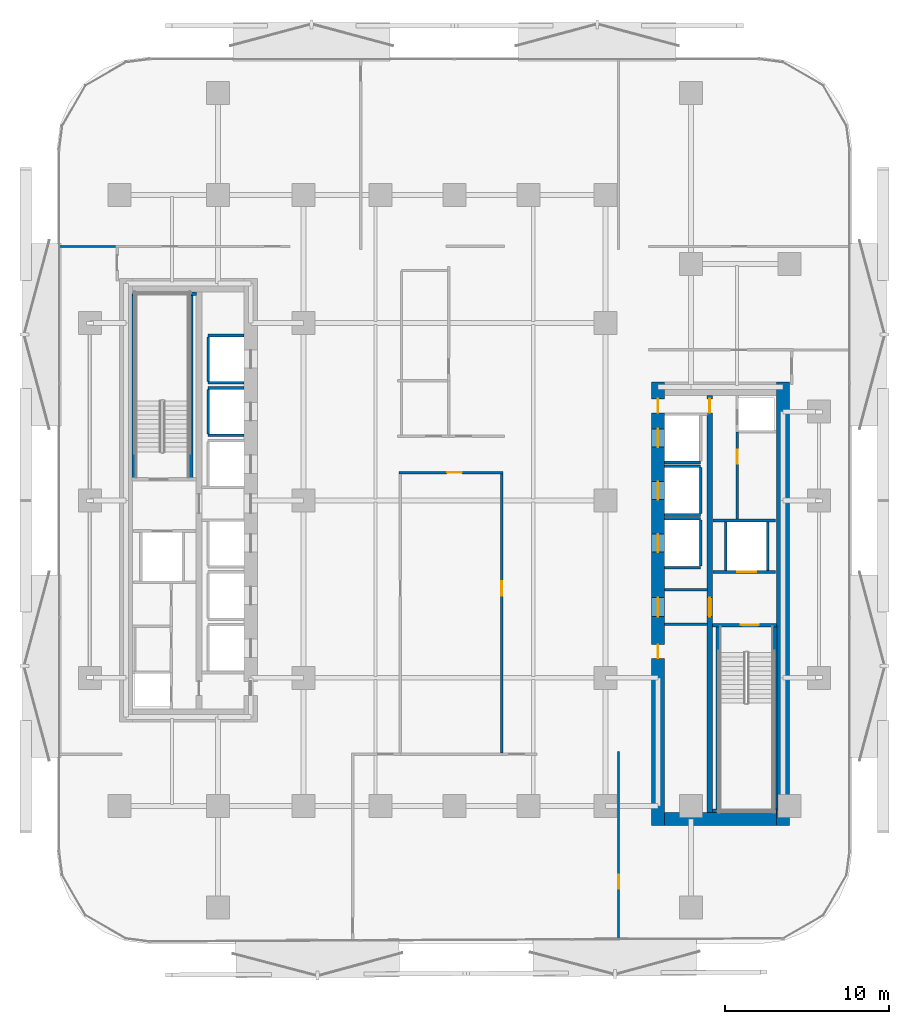
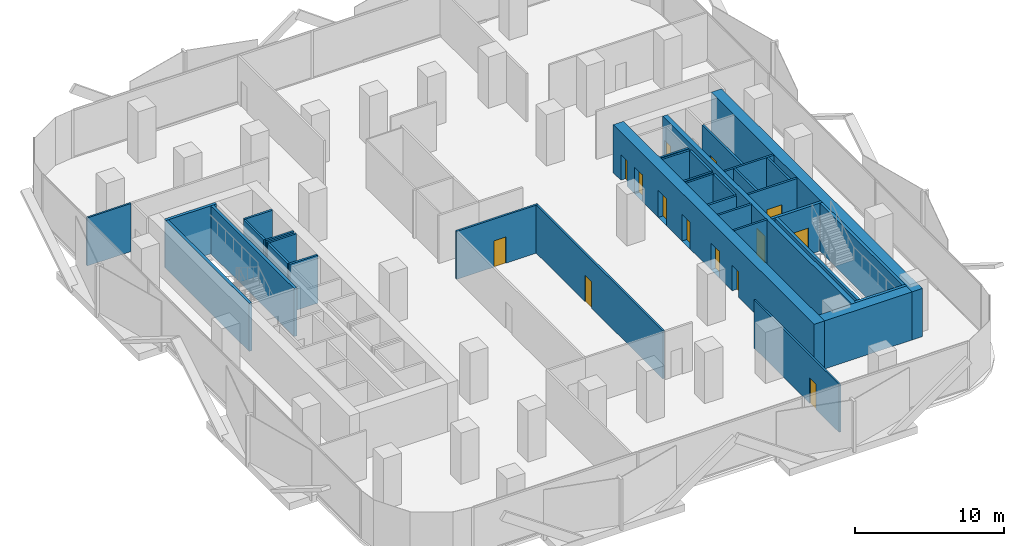
# One storey, part 4 of 15: 35 walls, 14 doors, 14 openings.
"""IFC4 building model written with IfcOpenShell, lengths in metres."""

from ifc_helpers import new_model, si_unit, direction, frame, frame_2d, origin, place, context, subcontext, project, spatial, rectangle, extrude, material, layer, layer_set, type_object, element, fill, save


model = new_model("IFC4")

# Units and contexts
model_context = context("Model", 3, precision=1e-05, world=origin(), true_north=direction((0.0, 1.0)))
body_context = subcontext(model_context, "Body", "Model", "MODEL_VIEW")
ifc_project = project(units=[si_unit("LENGTHUNIT", "METRE"), si_unit("AREAUNIT", "SQUARE_METRE"), si_unit("VOLUMEUNIT", "CUBIC_METRE"), si_unit("PLANEANGLEUNIT", "RADIAN"), si_unit("MASSUNIT", "GRAM", prefix="KILO")], contexts=[model_context])

# Site, building, storey
site_placement = place(None, origin())
site = spatial("IfcSite", under=ifc_project, at=site_placement, CompositionType="ELEMENT")
building_placement = place(site_placement, origin())
building = spatial("IfcBuilding", under=site, at=building_placement, Name="Khairoan Windgate Tower", CompositionType="ELEMENT")
storey_placement = place(building_placement, frame((0.0, 0.0, 47.0)))
storey = spatial("IfcBuildingStorey", under=building, at=storey_placement, Name="L11", CompositionType="ELEMENT", Elevation=47.0)

# Walls
ifc_material_1 = material(Name="Concrete C40/50", Category="concrete")
ifc_layer_1 = layer(ifc_material_1, 0.159912109375, Name="Concrete C40/50")
ifc_layer_set_1 = layer_set([ifc_layer_1], Name="Concrete C40/50")
wall_type_1 = type_object("IfcWallType", Name="Core and Hoistway Enclosure Wall", PredefinedType="STANDARD", material=ifc_layer_set_1)
for number, where, z_axis, x_axis, name in (
    (1, (-14.989990234375, 7.159912109375, 0.0), (0.0, 0.0, 1.0), (1.0, 0.0, 0.0), "L11 Lift PL1 Hoistway Divider S"),
    (2, (-14.989990234375, 10.0400390625, 0.0), (0.0, 0.0, 1.0), (1.0, 0.0, 0.0), "L11 Lift PL1 Hoistway Divider N"),
):
    element("IfcWall", number, at=place(storey_placement, frame(where, z_axis=z_axis, x_axis=x_axis)), inside=storey, type_object=wall_type_1, Name=name, PredefinedType="STANDARD", context=body_context, shape_type="SweptSolid", body=[
        extrude(rectangle(XDim=2.18994140625, YDim=0.159912109375, at=frame_2d((1.094970703125, 0.0))), origin(), (0.0, 0.0, 1.0), 3.93994140625),
    ])
wall_1_placement = place(storey_placement, frame((-14.989990234375, 7.25, 0.0), z_axis=(0.0, 0.0, 1.0), x_axis=(0.0, 1.0, 0.0)))
element("IfcWall", 3, at=wall_1_placement, inside=storey, type_object=wall_type_1, Name="L11 Lift PL1 Hoistway Back Wall", PredefinedType="STANDARD", context=body_context, shape_type="SweptSolid", body=[
    extrude(rectangle(XDim=2.699951171875, YDim=0.159912109375, at=frame_2d((1.35009765625, 0.0))), origin(), (0.0, 0.0, 1.0), 3.93994140625),
])
for number, where, z_axis, x_axis, name in (
    (4, (-14.989990234375, 3.9599609375, 0.0), (0.0, 0.0, 1.0), (1.0, 0.0, 0.0), "L11 Lift PL2 Hoistway Divider S"),
    (5, (-14.989990234375, 6.840087890625, 0.0), (0.0, 0.0, 1.0), (1.0, 0.0, 0.0), "L11 Lift PL2 Hoistway Divider N"),
):
    element("IfcWall", number, at=place(storey_placement, frame(where, z_axis=z_axis, x_axis=x_axis)), inside=storey, type_object=wall_type_1, Name=name, PredefinedType="STANDARD", context=body_context, shape_type="SweptSolid", body=[
        extrude(rectangle(XDim=2.18994140625, YDim=0.159912109375, at=frame_2d((1.094970703125, 0.0))), origin(), (0.0, 0.0, 1.0), 3.93994140625),
    ])
wall_2_placement = place(storey_placement, frame((-14.989990234375, 4.050048828125, 0.0), z_axis=(0.0, 0.0, 1.0), x_axis=(0.0, 1.0, 0.0)))
element("IfcWall", 6, at=wall_2_placement, inside=storey, type_object=wall_type_1, Name="L11 Lift PL2 Hoistway Back Wall", PredefinedType="STANDARD", context=body_context, shape_type="SweptSolid", body=[
    extrude(rectangle(XDim=2.699951171875, YDim=0.159912109375, at=frame_2d((1.35009765625, 0.0))), origin(), (0.0, 0.0, 1.0), 3.93994140625),
])
for number, where, z_axis, x_axis, name in (
    (7, (12.800048828125, 2.31005859375, 0.0), (0.0, 0.0, 1.0), (1.0, 0.0, 0.0), "L11 Lift PL7 Hoistway Divider S"),
    (8, (12.800048828125, -0.889892578125, 0.0), (0.0, 0.0, 1.0), (1.0, 0.0, 0.0), "L11 Lift PL8 Hoistway Divider S"),
    (9, (12.800048828125, 2.090087890625, 0.0), (0.0, 0.0, 1.0), (1.0, 0.0, 0.0), "L11 Lift PL8 Hoistway Divider N"),
):
    element("IfcWall", number, at=place(storey_placement, frame(where, z_axis=z_axis, x_axis=x_axis)), inside=storey, type_object=wall_type_1, Name=name, PredefinedType="STANDARD", context=body_context, shape_type="SweptSolid", body=[
        extrude(rectangle(XDim=2.18994140625, YDim=0.159912109375, at=frame_2d((1.094970703125, 0.0))), origin(), (0.0, 0.0, 1.0), 3.93994140625),
    ])
wall_3_placement = place(storey_placement, frame((14.989990234375, -0.800048828125, 0.0), z_axis=(0.0, 0.0, 1.0), x_axis=(0.0, 1.0, 0.0)))
element("IfcWall", 10, at=wall_3_placement, inside=storey, type_object=wall_type_1, Name="L11 Lift PL8 Hoistway Back Wall", PredefinedType="STANDARD", context=body_context, shape_type="SweptSolid", body=[
    extrude(rectangle(XDim=2.800048828125, YDim=0.159912109375, at=frame_2d((1.39990234375, 0.0))), origin(), (0.0, 0.0, 1.0), 3.93994140625),
])
for number, where, z_axis, x_axis, name in (
    (11, (12.800048828125, -4.090087890625, 0.0), (0.0, 0.0, 1.0), (1.0, 0.0, 0.0), "L11 Lift PL9 Hoistway Divider S"),
    (12, (12.800048828125, -1.110107421875, 0.0), (0.0, 0.0, 1.0), (1.0, 0.0, 0.0), "L11 Lift PL9 Hoistway Divider N"),
):
    element("IfcWall", number, at=place(storey_placement, frame(where, z_axis=z_axis, x_axis=x_axis)), inside=storey, type_object=wall_type_1, Name=name, PredefinedType="STANDARD", context=body_context, shape_type="SweptSolid", body=[
        extrude(rectangle(XDim=2.18994140625, YDim=0.159912109375, at=frame_2d((1.094970703125, 0.0))), origin(), (0.0, 0.0, 1.0), 3.93994140625),
    ])
wall_4_placement = place(storey_placement, frame((14.989990234375, -4.0, 0.0), z_axis=(0.0, 0.0, 1.0), x_axis=(0.0, 1.0, 0.0)))
element("IfcWall", 13, at=wall_4_placement, inside=storey, type_object=wall_type_1, Name="L11 Lift PL9 Hoistway Back Wall", PredefinedType="STANDARD", context=body_context, shape_type="SweptSolid", body=[
    extrude(rectangle(XDim=2.800048828125, YDim=0.159912109375, at=frame_2d((1.39990234375, 0.0))), origin(), (0.0, 0.0, 1.0), 3.93994140625),
])

# Wall, opening, door
wall_5_placement = place(storey_placement, frame((15.75, -4.360107421875, 0.0), z_axis=(0.0, 0.0, 1.0), x_axis=(1.0, 0.0, 0.0)))
wall_5 = element("IfcWall", 14, at=wall_5_placement, inside=storey, type_object=wall_type_1, Name="L11 Core Shaft Wall SW-FL1-L11", PredefinedType="STANDARD", context=body_context, shape_type="SweptSolid", body=[
    extrude(rectangle(XDim=3.800048828125, YDim=0.159912109375, at=frame_2d((1.89990234375, 0.0))), origin(), (0.0, 0.0, 1.0), 3.93994140625),
])
opening_1_placement = place(wall_5_placement, frame((1.469970703125, 0.0, 0.0)))
opening_1 = element("IfcOpeningElement", 15, at=opening_1_placement, cuts=wall_5, Name="Opening LD-FL", PredefinedType="OPENING", context=body_context, shape_type="SweptSolid", body=[
    extrude(rectangle(XDim=1.14990234375, YDim=2.199951171875, at=frame_2d((0.574951171875, 1.10009765625))), frame((0.0, 0.08984375, 0.0), z_axis=(0.0, -1.0, 0.0), x_axis=(1.0, 0.0, 0.0)), (0.0, 0.0, 1.0), 0.179931640625),
])
ifc_material_2 = material(Name="Steel S355", Category="steel")
door_type_1 = type_object("IfcDoorType", Name="Firefighting Lift Sliding Landing Door LD-FL 1150x2200", OperationType="DOUBLE_DOOR_SLIDING", PredefinedType="DOOR", material=ifc_material_2)
door_1_placement = place(opening_1_placement, origin())
door_1 = element("IfcDoor", 16, at=door_1_placement, inside=storey, type_object=door_type_1, Name="L11 Firefighting Lift FL1 Landing Door", OperationType="DOUBLE_DOOR_SLIDING", OverallHeight=2.199951171875, OverallWidth=1.14990234375, PredefinedType="DOOR", context=body_context, shape_type="SweptSolid", body=[
    extrude(rectangle(XDim=1.14990234375, YDim=2.199951171875, at=frame_2d((0.574951171875, 1.10009765625))), frame((0.0, 0.02490234375, 0.0), z_axis=(0.0, -1.0, 0.0), x_axis=(1.0, 0.0, 0.0)), (0.0, 0.0, 1.0), 0.050048828125),
])
fill(opening_1, door_1)

# Walls
wall_6_placement = place(storey_placement, frame((15.75, -1.219970703125, 0.0), z_axis=(0.0, 0.0, 1.0), x_axis=(1.0, 0.0, 0.0)))
element("IfcWall", 17, at=wall_6_placement, inside=storey, type_object=wall_type_1, Name="L11 Core Shaft Wall SW-FL1T-L11", PredefinedType="STANDARD", context=body_context, shape_type="SweptSolid", body=[
    extrude(rectangle(XDim=3.800048828125, YDim=0.159912109375, at=frame_2d((1.89990234375, 0.0))), origin(), (0.0, 0.0, 1.0), 3.93994140625),
])
for number, where, z_axis, x_axis, name in (
    (18, (16.52001953125, -4.280029296875, 0.0), (0.0, 0.0, 1.0), (0.0, 1.0, 0.0), "L11 Core Shaft Wall SW-FL1W-L11"),
    (19, (19.080078125, -4.280029296875, 0.0), (0.0, 0.0, 1.0), (0.0, 1.0, 0.0), "L11 Core Shaft Wall SW-FL1E-L11"),
):
    element("IfcWall", number, at=place(storey_placement, frame(where, z_axis=z_axis, x_axis=x_axis)), inside=storey, type_object=wall_type_1, Name=name, PredefinedType="STANDARD", context=body_context, shape_type="SweptSolid", body=[
        extrude(rectangle(XDim=2.97998046875, YDim=0.159912109375, at=frame_2d((1.489990234375, 0.0))), origin(), (0.0, 0.0, 1.0), 3.93994140625),
    ])
for number, where, z_axis, x_axis, name in (
    (20, (12.800048828125, -5.449951171875, 0.0), (0.0, 0.0, 1.0), (1.0, 0.0, 0.0), "L11 Core Shaft Wall SW-EV1-L11"),
    (21, (12.800048828125, -7.5400390625, 0.0), (0.0, 0.0, 1.0), (1.0, 0.0, 0.0), "L11 Core Shaft Wall SW-EV2-L11"),
):
    element("IfcWall", number, at=place(storey_placement, frame(where, z_axis=z_axis, x_axis=x_axis)), inside=storey, type_object=wall_type_1, Name=name, PredefinedType="STANDARD", context=body_context, shape_type="SweptSolid", body=[
        extrude(rectangle(XDim=2.599853515625, YDim=0.159912109375, at=frame_2d((1.2998046875, 0.0))), origin(), (0.0, 0.0, 1.0), 3.93994140625),
    ])
ifc_material_3 = material(Name="Acoustic Fire-Rated Gypsum Partition", Category="gypsum")
ifc_layer_2 = layer(ifc_material_3, 0.139892578125, Name="Acoustic Fire-Rated Gypsum Partition")
ifc_layer_set_2 = layer_set([ifc_layer_2], Name="Acoustic Fire-Rated Gypsum Partition")
wall_type_2 = type_object("IfcWallType", Name="Inter-Tenancy Compartment Wall", PredefinedType="PARTITIONING", material=ifc_layer_set_2)
wall_7_placement = place(storey_placement, frame((-24.054931640625, 15.4599609375, 0.0), z_axis=(0.0, 0.0, 1.0), x_axis=(1.0, 0.0, 0.0)))
element("IfcWall", 22, at=wall_7_placement, inside=storey, type_object=wall_type_2, Name="L11 Interior Partition 021", PredefinedType="PARTITIONING", context=body_context, shape_type="SweptSolid", body=[
    extrude(rectangle(XDim=3.4150390625, YDim=0.139892578125, at=frame_2d((1.70751953125, 0.0))), origin(), (0.0, 0.0, 1.0), 3.93994140625),
])

# Wall, opening, door
wall_8_placement = place(storey_placement, frame((9.99609375, -26.71630859375, 0.0), z_axis=(0.0, 0.0, 1.0), x_axis=(0.0, 1.0, 0.0)))
wall_8 = element("IfcWall", 23, at=wall_8_placement, inside=storey, type_object=wall_type_2, Name="L11 Interior Partition 029", PredefinedType="PARTITIONING", context=body_context, shape_type="SweptSolid", body=[
    extrude(rectangle(XDim=11.436279296875, YDim=0.139892578125, at=frame_2d((5.71826171875, 0.0))), origin(), (0.0, 0.0, 1.0), 3.93994140625),
])
opening_2_placement = place(wall_8_placement, frame((3.077880859375, 0.0, 0.0)))
opening_2 = element("IfcOpeningElement", 24, at=opening_2_placement, cuts=wall_8, Name="Opening FD-SRV", PredefinedType="OPENING", context=body_context, shape_type="SweptSolid", body=[
    extrude(rectangle(XDim=0.85009765625, YDim=2.10009765625, at=frame_2d((0.425048828125, 1.050048828125))), frame((0.0, 0.079833984375, 0.0), z_axis=(0.0, -1.0, 0.0), x_axis=(1.0, 0.0, 0.0)), (0.0, 0.0, 1.0), 0.159912109375),
])
ifc_material_4 = material(Name="Steel S355", Category="steel")
door_type_2 = type_object("IfcDoorType", Name="Core Service and Riser Fire Door FD-SRV 850x2100", OperationType="NOTDEFINED", PredefinedType="DOOR", material=ifc_material_4)
door_2_placement = place(opening_2_placement, origin())
door_2 = element("IfcDoor", 25, at=door_2_placement, inside=storey, type_object=door_type_2, Name="L11 L11-42-L11-43 Door", OperationType="SINGLE_SWING_LEFT", OverallHeight=2.10009765625, OverallWidth=0.85009765625, PredefinedType="DOOR", context=body_context, shape_type="SweptSolid", body=[
    extrude(rectangle(XDim=0.85009765625, YDim=2.10009765625, at=frame_2d((0.425048828125, 1.050048828125))), frame((0.0, 0.02490234375, 0.0), z_axis=(0.0, -1.0, 0.0), x_axis=(1.0, 0.0, 0.0)), (0.0, 0.0, 1.0), 0.050048828125),
])
fill(opening_2, door_2)

ifc_material_5 = material(Name="Concrete C40/50", Category="concrete")
ifc_layer_3 = layer(ifc_material_5, 0.159912109375, Name="Concrete C40/50")
ifc_layer_set_3 = layer_set([ifc_layer_3], Name="Concrete C40/50")
wall_type_3 = type_object("IfcWallType", Name="Plant and Refuge Compartment Wall", PredefinedType="PARTITIONING", material=ifc_layer_set_3)
wall_9_placement = place(storey_placement, frame((17.22998046875, -1.139892578125, 0.0), z_axis=(0.0, 0.0, 1.0), x_axis=(0.0, 1.0, 0.0)))
wall_9 = element("IfcWall", 26, at=wall_9_placement, inside=storey, type_object=wall_type_3, Name="L11 Interior Partition 007", PredefinedType="PARTITIONING", context=body_context, shape_type="SweptSolid", body=[
    extrude(rectangle(XDim=5.309814453125, YDim=0.159912109375, at=frame_2d((2.65478515625, 0.0))), origin(), (0.0, 0.0, 1.0), 3.93994140625),
])
opening_3_placement = place(wall_9_placement, frame((3.375244140625, 0.0, 0.0)))
opening_3 = element("IfcOpeningElement", 27, at=opening_3_placement, cuts=wall_9, Name="Opening FD-SRV", PredefinedType="OPENING", context=body_context, shape_type="SweptSolid", body=[
    extrude(rectangle(XDim=0.85009765625, YDim=2.10009765625, at=frame_2d((0.425048828125, 1.050048828125))), frame((0.0, 0.08984375, 0.0), z_axis=(0.0, -1.0, 0.0), x_axis=(1.0, 0.0, 0.0)), (0.0, 0.0, 1.0), 0.179931640625),
])
door_3_placement = place(opening_3_placement, origin())
door_3 = element("IfcDoor", 28, at=door_3_placement, inside=storey, type_object=door_type_2, Name="L11 L11-19-L11-21 Door", OperationType="SINGLE_SWING_RIGHT", OverallHeight=2.10009765625, OverallWidth=0.85009765625, PredefinedType="DOOR", context=body_context, shape_type="SweptSolid", body=[
    extrude(rectangle(XDim=0.85009765625, YDim=2.10009765625, at=frame_2d((0.425048828125, 1.050048828125))), frame((0.0, 0.02490234375, 0.0), z_axis=(0.0, -1.0, 0.0), x_axis=(1.0, 0.0, 0.0)), (0.0, 0.0, 1.0), 0.050048828125),
])
fill(opening_3, door_3)

ifc_material_6 = material(Name="Acoustic Fire-Rated Gypsum Partition", Category="gypsum")
ifc_layer_4 = layer(ifc_material_6, 0.14990234375, Name="Acoustic Fire-Rated Gypsum Partition")
ifc_layer_set_4 = layer_set([ifc_layer_4], Name="Acoustic Fire-Rated Gypsum Partition")
wall_type_4 = type_object("IfcWallType", Name="Rated Corridor Partition Wall", PredefinedType="PARTITIONING", material=ifc_layer_set_4)
wall_10_placement = place(storey_placement, frame((-3.360107421875, 1.695068359375, 0.0), z_axis=(0.0, 0.0, 1.0), x_axis=(1.0, 0.0, 0.0)))
wall_10 = element("IfcWall", 29, at=wall_10_placement, inside=storey, type_object=wall_type_4, Name="L11 Interior Partition 012", PredefinedType="PARTITIONING", context=body_context, shape_type="SweptSolid", body=[
    extrude(rectangle(XDim=6.320068359375, YDim=0.14990234375, at=frame_2d((3.16015625, 0.0))), origin(), (0.0, 0.0, 1.0), 3.93994140625),
])
opening_4_placement = place(wall_10_placement, frame((2.91455078125, 0.0, 0.0)))
opening_4 = element("IfcOpeningElement", 30, at=opening_4_placement, cuts=wall_10, Name="Opening FD-ENT", PredefinedType="OPENING", context=body_context, shape_type="SweptSolid", body=[
    extrude(rectangle(XDim=0.89990234375, YDim=2.14990234375, at=frame_2d((0.449951171875, 1.074951171875))), frame((0.0, 0.0849609375, 0.0), z_axis=(0.0, -1.0, 0.0), x_axis=(1.0, 0.0, 0.0)), (0.0, 0.0, 1.0), 0.169921875),
])
ifc_material_7 = material(Name="Timber Fire-Rated Core", Category="wood")
door_type_3 = type_object("IfcDoorType", Name="Unit and Office Fire Entrance Door FD-ENT 900x2150", OperationType="NOTDEFINED", PredefinedType="DOOR", material=ifc_material_7)
door_4_placement = place(opening_4_placement, origin())
door_4 = element("IfcDoor", 31, at=door_4_placement, inside=storey, type_object=door_type_3, Name="L11 L11-30-L11-47 Door", OperationType="SINGLE_SWING_RIGHT", OverallHeight=2.14990234375, OverallWidth=0.89990234375, PredefinedType="DOOR", context=body_context, shape_type="SweptSolid", body=[
    extrude(rectangle(XDim=0.89990234375, YDim=2.14990234375, at=frame_2d((0.449951171875, 1.074951171875))), frame((0.0, 0.02490234375, 0.0), z_axis=(0.0, -1.0, 0.0), x_axis=(1.0, 0.0, 0.0)), (0.0, 0.0, 1.0), 0.050048828125),
])
fill(opening_4, door_4)

wall_11_placement = place(storey_placement, frame((2.885009765625, -15.385009765625, 0.0), z_axis=(0.0, 0.0, 1.0), x_axis=(0.0, 1.0, 0.0)))
wall_11 = element("IfcWall", 32, at=wall_11_placement, inside=storey, type_object=wall_type_4, Name="L11 Interior Partition 016", PredefinedType="PARTITIONING", context=body_context, shape_type="SweptSolid", body=[
    extrude(rectangle(XDim=17.005126953125, YDim=0.14990234375, at=frame_2d((8.50244140625, 0.0))), origin(), (0.0, 0.0, 1.0), 3.93994140625),
])
opening_5_placement = place(wall_11_placement, frame((9.571044921875, 0.0, 0.0)))
opening_5 = element("IfcOpeningElement", 33, at=opening_5_placement, cuts=wall_11, Name="Opening FD-ENT", PredefinedType="OPENING", context=body_context, shape_type="SweptSolid", body=[
    extrude(rectangle(XDim=0.89990234375, YDim=2.14990234375, at=frame_2d((0.449951171875, 1.074951171875))), frame((0.0, 0.0849609375, 0.0), z_axis=(0.0, -1.0, 0.0), x_axis=(1.0, 0.0, 0.0)), (0.0, 0.0, 1.0), 0.169921875),
])
door_5_placement = place(opening_5_placement, origin())
door_5 = element("IfcDoor", 34, at=door_5_placement, inside=storey, type_object=door_type_3, Name="L11 L11-32-L11-47 Door", OperationType="SINGLE_SWING_RIGHT", OverallHeight=2.14990234375, OverallWidth=0.89990234375, PredefinedType="DOOR", context=body_context, shape_type="SweptSolid", body=[
    extrude(rectangle(XDim=0.89990234375, YDim=2.14990234375, at=frame_2d((0.449951171875, 1.074951171875))), frame((0.0, 0.02490234375, 0.0), z_axis=(0.0, -1.0, 0.0), x_axis=(1.0, 0.0, 0.0)), (0.0, 0.0, 1.0), 0.050048828125),
])
fill(opening_5, door_5)

# Wall, openings, doors
ifc_material_8 = material(Name="Concrete C70/85", Category="concrete")
ifc_layer_5 = layer(ifc_material_8, 0.800048828125, Name="Concrete C70/85")
ifc_layer_set_5 = layer_set([ifc_layer_5], Name="Concrete C70/85")
wall_type_5 = type_object("IfcWallType", Name="Shear Wall CW-E1 800mm", PredefinedType="SHEAR", material=ifc_layer_set_5)
wall_12_placement = place(storey_placement, frame((12.39990234375, -19.800048828125, 0.0), z_axis=(0.0, 0.0, 1.0), x_axis=(0.0, 1.0, 0.0)))
wall_12 = element("IfcWall", 35, at=wall_12_placement, inside=storey, type_object=wall_type_5, Name="E Core West Shear Wall L11", PredefinedType="SHEAR", context=body_context, shape_type="SweptSolid", body=[
    extrude(rectangle(XDim=27.0, YDim=0.800048828125, at=frame_2d((13.5, 0.0))), origin(), (0.0, 0.0, 1.0), 3.93994140625),
])
opening_6_placement = place(wall_12_placement, frame((23.050048828125, 0.0, 0.0)))
opening_6 = element("IfcOpeningElement", 36, at=opening_6_placement, cuts=wall_12, Name="Opening LD-PL", PredefinedType="OPENING", context=body_context, shape_type="SweptSolid", body=[
    extrude(rectangle(XDim=1.10009765625, YDim=2.199951171875, at=frame_2d((0.550048828125, 1.10009765625))), frame((0.0, 0.409912109375, 0.0), z_axis=(0.0, -1.0, 0.0), x_axis=(1.0, 0.0, 0.0)), (0.0, 0.0, 1.0), 0.820068359375),
])
opening_7_placement = place(wall_12_placement, frame((19.85009765625, 0.0, 0.0)))
opening_7 = element("IfcOpeningElement", 37, at=opening_7_placement, cuts=wall_12, Name="Opening LD-PL", PredefinedType="OPENING", context=body_context, shape_type="SweptSolid", body=[
    extrude(rectangle(XDim=1.10009765625, YDim=2.199951171875, at=frame_2d((0.550048828125, 1.10009765625))), frame((0.0, 0.409912109375, 0.0), z_axis=(0.0, -1.0, 0.0), x_axis=(1.0, 0.0, 0.0)), (0.0, 0.0, 1.0), 0.820068359375),
])
opening_8_placement = place(wall_12_placement, frame((16.64990234375, 0.0, 0.0)))
opening_8 = element("IfcOpeningElement", 38, at=opening_8_placement, cuts=wall_12, Name="Opening LD-PL", PredefinedType="OPENING", context=body_context, shape_type="SweptSolid", body=[
    extrude(rectangle(XDim=1.10009765625, YDim=2.199951171875, at=frame_2d((0.550048828125, 1.10009765625))), frame((0.0, 0.409912109375, 0.0), z_axis=(0.0, -1.0, 0.0), x_axis=(1.0, 0.0, 0.0)), (0.0, 0.0, 1.0), 0.820068359375),
])
opening_9_placement = place(wall_12_placement, frame((10.175048828125, 0.0, 0.0)))
opening_9 = element("IfcOpeningElement", 39, at=opening_9_placement, cuts=wall_12, Name="Opening FD-SRV", PredefinedType="OPENING", context=body_context, shape_type="SweptSolid", body=[
    extrude(rectangle(XDim=0.85009765625, YDim=2.10009765625, at=frame_2d((0.425048828125, 1.050048828125))), frame((0.0, 0.409912109375, 0.0), z_axis=(0.0, -1.0, 0.0), x_axis=(1.0, 0.0, 0.0)), (0.0, 0.0, 1.0), 0.820068359375),
])
opening_10_placement = place(wall_12_placement, frame((12.72509765625, 0.0, 0.0)))
opening_10 = element("IfcOpeningElement", 40, at=opening_10_placement, cuts=wall_12, Name="Opening FD-FFL", PredefinedType="OPENING", context=body_context, shape_type="SweptSolid", body=[
    extrude(rectangle(XDim=1.14990234375, YDim=2.199951171875, at=frame_2d((0.574951171875, 1.10009765625))), frame((0.0, 0.409912109375, 0.0), z_axis=(0.0, -1.0, 0.0), x_axis=(1.0, 0.0, 0.0)), (0.0, 0.0, 1.0), 0.820068359375),
])
opening_11_placement = place(wall_12_placement, frame((25.125, 0.0, 0.0)))
opening_11 = element("IfcOpeningElement", 41, at=opening_11_placement, cuts=wall_12, Name="Opening FD-SRV", PredefinedType="OPENING", context=body_context, shape_type="SweptSolid", body=[
    extrude(rectangle(XDim=0.85009765625, YDim=2.10009765625, at=frame_2d((0.425048828125, 1.050048828125))), frame((0.0, 0.409912109375, 0.0), z_axis=(0.0, -1.0, 0.0), x_axis=(1.0, 0.0, 0.0)), (0.0, 0.0, 1.0), 0.820068359375),
])
door_6_placement = place(opening_9_placement, origin())
door_6 = element("IfcDoor", 42, at=door_6_placement, inside=storey, type_object=door_type_2, Name="L11 East Core Service Room Door 1", OperationType="SINGLE_SWING_LEFT", OverallHeight=2.10009765625, OverallWidth=0.85009765625, PredefinedType="DOOR", context=body_context, shape_type="SweptSolid", body=[
    extrude(rectangle(XDim=0.85009765625, YDim=2.10009765625, at=frame_2d((0.425048828125, 1.050048828125))), frame((0.0, 0.02490234375, 0.0), z_axis=(0.0, -1.0, 0.0), x_axis=(1.0, 0.0, 0.0)), (0.0, 0.0, 1.0), 0.050048828125),
])
fill(opening_9, door_6)
door_7_placement = place(opening_11_placement, origin())
door_7 = element("IfcDoor", 43, at=door_7_placement, inside=storey, type_object=door_type_2, Name="L11 East Core Service Vestibule Outer Door", OperationType="SINGLE_SWING_RIGHT", OverallHeight=2.10009765625, OverallWidth=0.85009765625, PredefinedType="DOOR", context=body_context, shape_type="SweptSolid", body=[
    extrude(rectangle(XDim=0.85009765625, YDim=2.10009765625, at=frame_2d((0.425048828125, 1.050048828125))), frame((0.0, 0.02490234375, 0.0), z_axis=(0.0, -1.0, 0.0), x_axis=(1.0, 0.0, 0.0)), (0.0, 0.0, 1.0), 0.050048828125),
])
fill(opening_11, door_7)
ifc_material_9 = material(Name="Steel S355", Category="steel")
door_type_4 = type_object("IfcDoorType", Name="Firefighting Lobby Fire Door FD-FFL 1150x2200", OperationType="NOTDEFINED", PredefinedType="DOOR", material=ifc_material_9)
door_8_placement = place(opening_10_placement, origin())
door_8 = element("IfcDoor", 44, at=door_8_placement, inside=storey, type_object=door_type_4, Name="L11 East Core Vestibule Entry Door", OperationType="SINGLE_SWING_RIGHT", OverallHeight=2.199951171875, OverallWidth=1.14990234375, PredefinedType="DOOR", context=body_context, shape_type="SweptSolid", body=[
    extrude(rectangle(XDim=1.14990234375, YDim=2.199951171875, at=frame_2d((0.574951171875, 1.10009765625))), frame((0.0, 0.02490234375, 0.0), z_axis=(0.0, -1.0, 0.0), x_axis=(1.0, 0.0, 0.0)), (0.0, 0.0, 1.0), 0.050048828125),
])
fill(opening_10, door_8)
ifc_material_10 = material(Name="Anodised Bronze Aluminium 6063-T6", Category="aluminium")
door_type_5 = type_object("IfcDoorType", Name="Passenger Lift Sliding Landing Door LD-PL 1100x2200", OperationType="DOUBLE_DOOR_SLIDING", PredefinedType="DOOR", material=ifc_material_10)
door_9_placement = place(opening_6_placement, origin())
door_9 = element("IfcDoor", 45, at=door_9_placement, inside=storey, type_object=door_type_5, Name="L11 Lift PL7 Sliding Landing Door", OperationType="DOUBLE_DOOR_SLIDING", OverallHeight=2.199951171875, OverallWidth=1.10009765625, PredefinedType="DOOR", context=body_context, shape_type="SweptSolid", body=[
    extrude(rectangle(XDim=1.10009765625, YDim=2.199951171875, at=frame_2d((0.550048828125, 1.10009765625))), frame((0.0, 0.02490234375, 0.0), z_axis=(0.0, -1.0, 0.0), x_axis=(1.0, 0.0, 0.0)), (0.0, 0.0, 1.0), 0.050048828125),
])
fill(opening_6, door_9)
door_10_placement = place(opening_7_placement, origin())
door_10 = element("IfcDoor", 46, at=door_10_placement, inside=storey, type_object=door_type_5, Name="L11 Lift PL8 Sliding Landing Door", OperationType="DOUBLE_DOOR_SLIDING", OverallHeight=2.199951171875, OverallWidth=1.10009765625, PredefinedType="DOOR", context=body_context, shape_type="SweptSolid", body=[
    extrude(rectangle(XDim=1.10009765625, YDim=2.199951171875, at=frame_2d((0.550048828125, 1.10009765625))), frame((0.0, 0.02490234375, 0.0), z_axis=(0.0, -1.0, 0.0), x_axis=(1.0, 0.0, 0.0)), (0.0, 0.0, 1.0), 0.050048828125),
])
fill(opening_7, door_10)
door_11_placement = place(opening_8_placement, origin())
door_11 = element("IfcDoor", 47, at=door_11_placement, inside=storey, type_object=door_type_5, Name="L11 Lift PL9 Sliding Landing Door", OperationType="DOUBLE_DOOR_SLIDING", OverallHeight=2.199951171875, OverallWidth=1.10009765625, PredefinedType="DOOR", context=body_context, shape_type="SweptSolid", body=[
    extrude(rectangle(XDim=1.10009765625, YDim=2.199951171875, at=frame_2d((0.550048828125, 1.10009765625))), frame((0.0, 0.02490234375, 0.0), z_axis=(0.0, -1.0, 0.0), x_axis=(1.0, 0.0, 0.0)), (0.0, 0.0, 1.0), 0.050048828125),
])
fill(opening_8, door_11)

# Walls
wall_13_placement = place(storey_placement, frame((20.0, -19.800048828125, 0.0), z_axis=(0.0, 0.0, 1.0), x_axis=(0.0, 1.0, 0.0)))
element("IfcWall", 48, at=wall_13_placement, inside=storey, type_object=wall_type_5, Name="E Core East Shear Wall L11", PredefinedType="SHEAR", context=body_context, shape_type="SweptSolid", body=[
    extrude(rectangle(XDim=27.0, YDim=0.800048828125, at=frame_2d((13.5, 0.0))), origin(), (0.0, 0.0, 1.0), 3.93994140625),
])
wall_14_placement = place(storey_placement, frame((12.800048828125, -19.39990234375, 0.0), z_axis=(0.0, 0.0, 1.0), x_axis=(1.0, 0.0, 0.0)))
element("IfcWall", 49, at=wall_14_placement, inside=storey, type_object=wall_type_5, Name="E Core South Shear Wall L11", PredefinedType="SHEAR", context=body_context, shape_type="SweptSolid", body=[
    extrude(rectangle(XDim=6.800048828125, YDim=0.800048828125, at=frame_2d((3.39990234375, 0.0))), origin(), (0.0, 0.0, 1.0), 3.93994140625),
])

# Wall, openings, doors
ifc_material_11 = material(Name="Concrete C60/75", Category="concrete")
ifc_layer_6 = layer(ifc_material_11, 0.35009765625, Name="Concrete C60/75")
ifc_layer_set_6 = layer_set([ifc_layer_6], Name="Concrete C60/75")
wall_type_6 = type_object("IfcWallType", Name="Shear Wall SW-1 350mm", PredefinedType="SHEAR", material=ifc_layer_set_6)
wall_15_placement = place(storey_placement, frame((15.550048828125, -19.0, 0.0), z_axis=(0.0, 0.0, 1.0), x_axis=(0.0, 1.0, 0.0)))
wall_15 = element("IfcWall", 50, at=wall_15_placement, inside=storey, type_object=wall_type_6, Name="E Core Spine Shear Wall L11", PredefinedType="SHEAR", context=body_context, shape_type="SweptSolid", body=[
    extrude(rectangle(XDim=25.39990234375, YDim=0.35009765625, at=frame_2d((12.699951171875, 0.0))), origin(), (0.0, 0.0, 1.0), 3.93994140625),
])
opening_12_placement = place(wall_15_placement, frame((11.925048828125, 0.0, 0.0)))
opening_12 = element("IfcOpeningElement", 51, at=opening_12_placement, cuts=wall_15, Name="Opening FD-FFL", PredefinedType="OPENING", context=body_context, shape_type="SweptSolid", body=[
    extrude(rectangle(XDim=1.14990234375, YDim=2.199951171875, at=frame_2d((0.574951171875, 1.10009765625))), frame((0.0, 0.18505859375, 0.0), z_axis=(0.0, -1.0, 0.0), x_axis=(1.0, 0.0, 0.0)), (0.0, 0.0, 1.0), 0.3701171875),
])
opening_13_placement = place(wall_15_placement, frame((24.324951171875, 0.0, 0.0)))
opening_13 = element("IfcOpeningElement", 52, at=opening_13_placement, cuts=wall_15, Name="Opening FD-SRV", PredefinedType="OPENING", context=body_context, shape_type="SweptSolid", body=[
    extrude(rectangle(XDim=0.85009765625, YDim=2.10009765625, at=frame_2d((0.425048828125, 1.050048828125))), frame((0.0, 0.18505859375, 0.0), z_axis=(0.0, -1.0, 0.0), x_axis=(1.0, 0.0, 0.0)), (0.0, 0.0, 1.0), 0.3701171875),
])
door_12_placement = place(opening_13_placement, origin())
door_12 = element("IfcDoor", 53, at=door_12_placement, inside=storey, type_object=door_type_2, Name="L11 East Core Service Passage Inner Door", OperationType="SINGLE_SWING_LEFT", OverallHeight=2.10009765625, OverallWidth=0.85009765625, PredefinedType="DOOR", context=body_context, shape_type="SweptSolid", body=[
    extrude(rectangle(XDim=0.85009765625, YDim=2.10009765625, at=frame_2d((0.425048828125, 1.050048828125))), frame((0.0, 0.02490234375, 0.0), z_axis=(0.0, -1.0, 0.0), x_axis=(1.0, 0.0, 0.0)), (0.0, 0.0, 1.0), 0.050048828125),
])
fill(opening_13, door_12)
door_13_placement = place(opening_12_placement, origin())
door_13 = element("IfcDoor", 54, at=door_13_placement, inside=storey, type_object=door_type_4, Name="L11 East Firefighting Lobby Fire Door", OperationType="SINGLE_SWING_LEFT", OverallHeight=2.199951171875, OverallWidth=1.14990234375, PredefinedType="DOOR", context=body_context, shape_type="SweptSolid", body=[
    extrude(rectangle(XDim=1.14990234375, YDim=2.199951171875, at=frame_2d((0.574951171875, 1.10009765625))), frame((0.0, 0.02490234375, 0.0), z_axis=(0.0, -1.0, 0.0), x_axis=(1.0, 0.0, 0.0)), (0.0, 0.0, 1.0), 0.050048828125),
])
fill(opening_12, door_13)

# Walls
ifc_material_12 = material(Name="Concrete C50/60", Category="concrete")
ifc_layer_7 = layer(ifc_material_12, 0.219970703125, Name="Concrete C50/60")
ifc_layer_set_7 = layer_set([ifc_layer_7], Name="Concrete C50/60")
wall_type_7 = type_object("IfcWallType", Name="Shear Wall SW-ST 220mm", PredefinedType="SHEAR", material=ifc_layer_set_7)
for number, where, z_axis, x_axis, name in (
    (55, (16.0400390625, -18.889892578125, 0.0), (0.0, 0.0, 1.0), (0.0, 1.0, 0.0), "L11 Stair ST1 West Bearing Wall"),
    (56, (19.530029296875, -18.889892578125, 0.0), (0.0, 0.0, 1.0), (0.0, 1.0, 0.0), "L11 Stair ST1 East Bearing Wall"),
):
    element("IfcWall", number, at=place(storey_placement, frame(where, z_axis=z_axis, x_axis=x_axis)), inside=storey, type_object=wall_type_7, Name=name, PredefinedType="SHEAR", context=body_context, shape_type="SweptSolid", body=[
        extrude(rectangle(XDim=11.2998046875, YDim=0.219970703125, at=frame_2d((5.64990234375, 0.0))), origin(), (0.0, 0.0, 1.0), 3.93994140625),
    ])
wall_16_placement = place(storey_placement, frame((15.705078125, -18.889892578125, 0.0), z_axis=(0.0, 0.0, 1.0), x_axis=(1.0, 0.0, 0.0)))
element("IfcWall", 57, at=wall_16_placement, inside=storey, type_object=wall_type_7, Name="L11 Stair ST1 South Bearing Wall", PredefinedType="SHEAR", context=body_context, shape_type="SweptSolid", body=[
    extrude(rectangle(XDim=3.9150390625, YDim=0.219970703125, at=frame_2d((1.95751953125, 0.0))), origin(), (0.0, 0.0, 1.0), 3.93994140625),
])

# Wall, opening, door
wall_17_placement = place(storey_placement, frame((19.6201171875, -7.590087890625, 0.0), z_axis=(0.0, 0.0, 1.0), x_axis=(-1.0, 0.0, 0.0)))
wall_17 = element("IfcWall", 58, at=wall_17_placement, inside=storey, type_object=wall_type_7, Name="L11 Stair ST1 North Bearing Wall", PredefinedType="SHEAR", context=body_context, shape_type="SweptSolid", body=[
    extrude(rectangle(XDim=3.9150390625, YDim=0.219970703125, at=frame_2d((1.95751953125, 0.0))), origin(), (0.0, 0.0, 1.0), 3.93994140625),
])
opening_14_placement = place(wall_17_placement, frame((1.080078125, 0.0, 0.0)))
opening_14 = element("IfcOpeningElement", 59, at=opening_14_placement, cuts=wall_17, Name="Opening FD-ST", PredefinedType="OPENING", context=body_context, shape_type="SweptSolid", body=[
    extrude(rectangle(XDim=1.10009765625, YDim=2.199951171875, at=frame_2d((0.550048828125, 1.10009765625))), frame((0.0, 0.119873046875, 0.0), z_axis=(0.0, -1.0, 0.0), x_axis=(1.0, 0.0, 0.0)), (0.0, 0.0, 1.0), 0.239990234375),
])
ifc_material_13 = material(Name="Steel S355", Category="steel")
door_type_6 = type_object("IfcDoorType", Name="Smokeproof Stair Fire Door FD-ST 1100x2200", OperationType="NOTDEFINED", PredefinedType="DOOR", material=ifc_material_13)
door_14_placement = place(opening_14_placement, origin())
door_14 = element("IfcDoor", 60, at=door_14_placement, inside=storey, type_object=door_type_6, Name="L11 Stair ST1 Fire Door", OperationType="SINGLE_SWING_LEFT", OverallHeight=2.199951171875, OverallWidth=1.10009765625, PredefinedType="DOOR", context=body_context, shape_type="SweptSolid", body=[
    extrude(rectangle(XDim=1.10009765625, YDim=2.199951171875, at=frame_2d((0.550048828125, 1.10009765625))), frame((0.0, 0.02490234375, 0.0), z_axis=(0.0, -1.0, 0.0), x_axis=(1.0, 0.0, 0.0)), (0.0, 0.0, 1.0), 0.050048828125),
])
fill(opening_14, door_14)

# Walls
for number, where, z_axis, x_axis, name in (
    (61, (-16.0400390625, 1.2900390625, 0.0), (0.0, 0.0, 1.0), (0.0, 1.0, 0.0), "L11 Stair ST2 East Bearing Wall"),
    (62, (-19.530029296875, 1.2900390625, 0.0), (0.0, 0.0, 1.0), (0.0, 1.0, 0.0), "L11 Stair ST2 West Bearing Wall"),
):
    element("IfcWall", number, at=place(storey_placement, frame(where, z_axis=z_axis, x_axis=x_axis)), inside=storey, type_object=wall_type_7, Name=name, PredefinedType="SHEAR", context=body_context, shape_type="SweptSolid", body=[
        extrude(rectangle(XDim=11.300048828125, YDim=0.219970703125, at=frame_2d((5.64990234375, 0.0))), origin(), (0.0, 0.0, 1.0), 3.93994140625),
    ])
wall_18_placement = place(storey_placement, frame((-19.6201171875, 12.590087890625, 0.0), z_axis=(0.0, 0.0, 1.0), x_axis=(1.0, 0.0, 0.0)))
element("IfcWall", 63, at=wall_18_placement, inside=storey, type_object=wall_type_7, Name="L11 Stair ST2 North Bearing Wall", PredefinedType="SHEAR", context=body_context, shape_type="SweptSolid", body=[
    extrude(rectangle(XDim=3.9150390625, YDim=0.219970703125, at=frame_2d((1.95751953125, 0.0))), origin(), (0.0, 0.0, 1.0), 3.93994140625),
])

save(model, "model.ifc")
